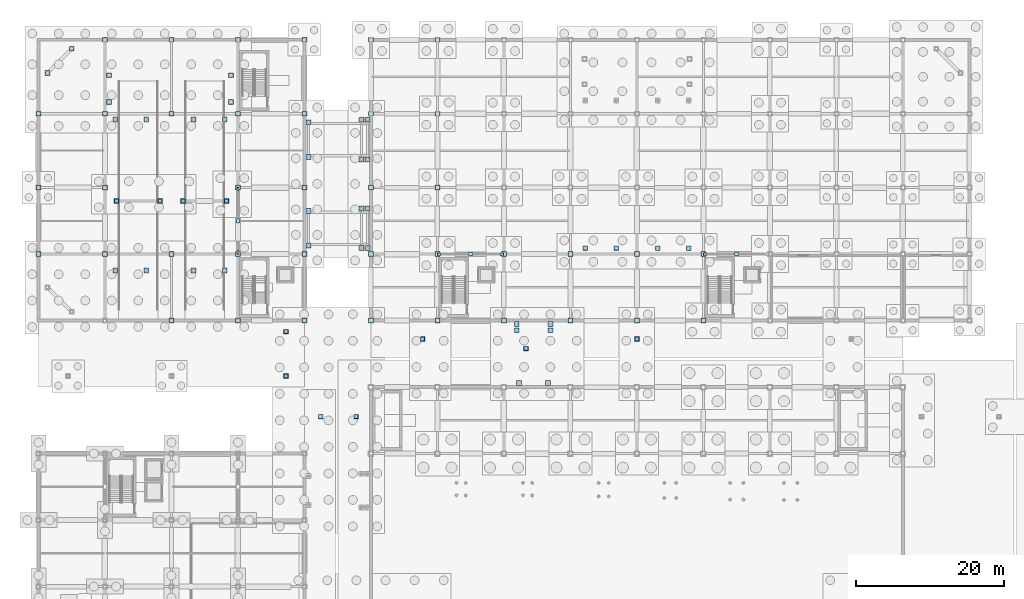
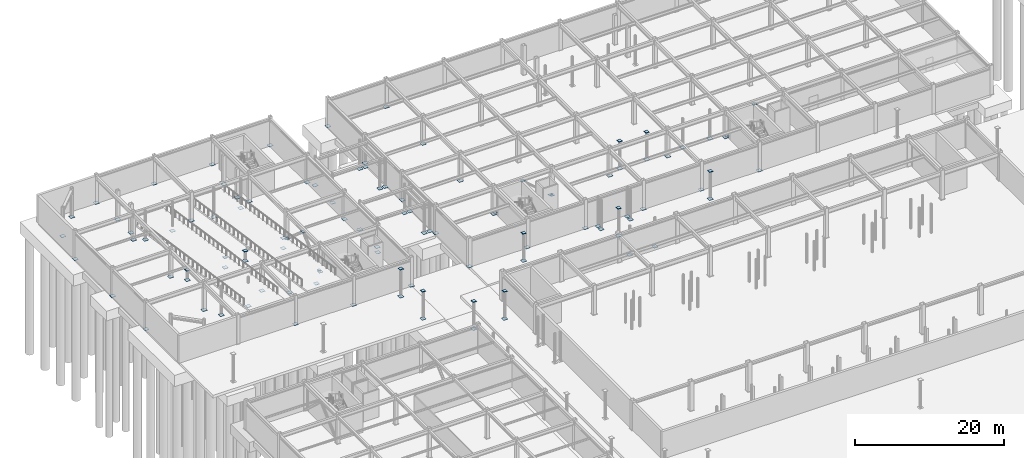
# One storey, part 48 of 74: 107 plates.
"""IFC4 building model written with IfcOpenShell, lengths in metres."""

from ifc_helpers import new_model, si_unit, direction, frame, origin, origin_2d, place, context, subcontext, project, spatial, rectangle, extrude, material, layer, layer_set, type_object, element, save


model = new_model("IFC4")

# Units and contexts
model_context = context("Model", 3, precision=1e-05, world=origin(), true_north=direction((0.0, 1.0)))
body_context = subcontext(model_context, "Body", "Model", "MODEL_VIEW")
ifc_project = project(units=[si_unit("LENGTHUNIT", "METRE"), si_unit("AREAUNIT", "SQUARE_METRE"), si_unit("VOLUMEUNIT", "CUBIC_METRE"), si_unit("PLANEANGLEUNIT", "RADIAN"), si_unit("MASSUNIT", "GRAM", prefix="KILO")], contexts=[model_context])

# Site, building, storey
site_placement = place(None, origin())
site = spatial("IfcSite", under=ifc_project, at=site_placement, CompositionType="ELEMENT")
building_placement = place(site_placement, origin())
building = spatial("IfcBuilding", under=site, at=building_placement, Name="Suzunagisa Mobility Hub", CompositionType="ELEMENT")
storey_placement = place(building_placement, frame((0.0, 0.0, -4.800048828125)))
storey = spatial("IfcBuildingStorey", under=building, at=storey_placement, Name="B1", CompositionType="ELEMENT", Elevation=-4.800048828125)

# Plates
ifc_material = material(Name="Steel SN490B", Category="steel")
ifc_layer_1 = layer(ifc_material, 0.02392578125)
ifc_layer_set_1 = layer_set([ifc_layer_1], Name="Steel SN490B")
plate_type_1 = type_object("IfcPlateType", Name="Structural Steel Plate SP-01 550x550x24", PredefinedType="USERDEFINED", material=ifc_layer_set_1)
for number, where, z_axis, x_axis, name in (
    (1, (10.550048828125, 96.199951171875, 1.652099609375), (0.0, 0.0, 1.0), (1.0, 0.0, 0.0), "B1 Column Cap Plate CP-37"),
    (2, (16.449951171875, 96.199951171875, 1.652099609375), (0.0, 0.0, 1.0), (1.0, 0.0, 0.0), "B1 Column Cap Plate CP-40"),
    (3, (19.550048828125, 96.199951171875, 1.652099609375), (0.0, 0.0, 1.0), (1.0, 0.0, 0.0), "B1 Column Cap Plate CP-54"),
    (4, (25.449951171875, 96.199951171875, 1.652099609375), (0.0, 0.0, 1.0), (1.0, 0.0, 0.0), "B1 Column Cap Plate CP-59"),
    (5, (33.5, 72.5, 4.55517578125), (0.0, 0.0, 1.0), (1.0, 0.0, 0.0), "B1 Column Cap Plate CP-75"),
    (6, (33.5, 78.5, 4.55517578125), (0.0, 0.0, 1.0), (1.0, 0.0, 0.0), "B1 Column Cap Plate CP-76"),
    (7, (38.199951171875, 67.0, 4.55517578125), (0.0, 0.0, 1.0), (1.0, 0.0, 0.0), "B1 Column Cap Plate CP-99"),
    (8, (43.0, 67.0, 4.55517578125), (0.0, 0.0, 1.0), (1.0, 0.0, 0.0), "B1 Column Cap Plate CP-102"),
    (9, (52.0, 77.5, 4.55517578125), (0.0, 0.0, 1.0), (1.0, 0.0, 0.0), "B1 Column Cap Plate CP-124"),
    (10, (66.0, 76.199951171875, 4.55517578125), (0.0, 0.0, 1.0), (1.0, 0.0, 0.0), "B1 Column Cap Plate CP-146"),
    (11, (74.0, 89.800048828125, 4.52001953125), (0.0, 0.0, 1.0), (1.0, 0.0, 0.0), "B1 Column Cap Plate CP-161"),
    (12, (78.199951171875, 89.800048828125, 4.52001953125), (0.0, 0.0, 1.0), (1.0, 0.0, 0.0), "B1 Column Cap Plate CP-163"),
    (13, (81.0, 77.5, 4.55517578125), (0.0, 0.0, 1.0), (1.0, 0.0, 0.0), "B1 Column Cap Plate CP-170"),
):
    element("IfcPlate", number, at=place(storey_placement, frame(where, z_axis=z_axis, x_axis=x_axis)), inside=storey, type_object=plate_type_1, Name=name, ObjectType="BASE PLATE", PredefinedType="USERDEFINED", context=body_context, shape_type="SweptSolid", body=[
        extrude(rectangle(XDim=0.550048828125, YDim=0.550048828125, at=origin_2d()), origin(), (0.0, 0.0, 1.0), 0.02392578125),
    ])
ifc_layer_2 = layer(ifc_material, 0.028076171875)
ifc_layer_set_2 = layer_set([ifc_layer_2], Name="Steel SN490B")
plate_type_2 = type_object("IfcPlateType", Name="Structural Steel Plate SP-04 480x320x28", PredefinedType="USERDEFINED", material=ifc_layer_set_2)
for number, where, z_axis, x_axis, name in (
    (14, (27.0, 89.2451171875, 0.10595703125), (0.0, 0.0, 1.0), (1.0, 0.0, 0.0), "B1 Brace Foot Gusset Plate FGP-108.1"),
    (15, (27.0, 97.7548828125, 0.10595703125), (0.0, 0.0, 1.0), (1.0, 0.0, 0.0), "B1 Brace Foot Gusset Plate FGP-108.2"),
):
    element("IfcPlate", number, at=place(storey_placement, frame(where, z_axis=z_axis, x_axis=x_axis)), inside=storey, type_object=plate_type_2, Name=name, ObjectType="GUSSET PLATE", PredefinedType="USERDEFINED", context=body_context, shape_type="SweptSolid", body=[
        extrude(rectangle(XDim=0.320068359375, YDim=0.47998046875, at=origin_2d()), origin(), (0.0, 0.0, 1.0), 0.028076171875),
    ])
for number, where, z_axis, x_axis, name in (
    (16, (54.27001953125, 89.0, 0.10595703125), (0.0, 0.0, 1.0), (1.0, 0.0, 0.0), "B1 Brace Foot Gusset Plate FGP-113.1"),
    (17, (62.72998046875, 89.0, 0.10595703125), (0.0, 0.0, 1.0), (1.0, 0.0, 0.0), "B1 Brace Foot Gusset Plate FGP-113.2"),
    (18, (90.27001953125, 89.0, 0.10595703125), (0.0, 0.0, 1.0), (1.0, 0.0, 0.0), "B1 Brace Foot Gusset Plate FGP-119.1"),
):
    element("IfcPlate", number, at=place(storey_placement, frame(where, z_axis=z_axis, x_axis=x_axis)), inside=storey, type_object=plate_type_2, Name=name, ObjectType="GUSSET PLATE", PredefinedType="USERDEFINED", context=body_context, shape_type="SweptSolid", body=[
        extrude(rectangle(XDim=0.47998046875, YDim=0.320068359375, at=origin_2d()), origin(), (0.0, 0.0, 1.0), 0.028076171875),
    ])
ifc_layer_3 = layer(ifc_material, 0.031982421875)
ifc_layer_set_3 = layer_set([ifc_layer_3], Name="Steel SN490B")
plate_type_3 = type_object("IfcPlateType", Name="Structural Steel Plate SP-05 650x650x32", PredefinedType="USERDEFINED", material=ifc_layer_set_3)
for number, where, z_axis, x_axis, name in (
    (19, (0.0, 89.0, -0.03173828125), (0.0, 0.0, 1.0), (1.0, 0.0, 0.0), "Column Base Plate BP-8"),
    (20, (0.0, 98.0, -0.03173828125), (0.0, 0.0, 1.0), (1.0, 0.0, 0.0), "Column Base Plate BP-9"),
    (21, (0.0, 108.0, -0.03173828125), (0.0, 0.0, 1.0), (1.0, 0.0, 0.0), "Column Base Plate BP-10"),
    (22, (1.205810546875, 113.5, -0.03173828125), (0.0, 0.0, 1.0), (1.0, 0.0, 0.0), "Column Base Plate BP-14"),
    (23, (4.5, 116.794189453125, -0.03173828125), (0.0, 0.0, 1.0), (1.0, 0.0, 0.0), "Column Base Plate BP-19"),
    (24, (9.0, 89.0, -0.03173828125), (0.0, 0.0, 1.0), (1.0, 0.0, 0.0), "Column Base Plate BP-29"),
    (25, (9.0, 98.0, -0.03173828125), (0.0, 0.0, 1.0), (1.0, 0.0, 0.0), "Column Base Plate BP-30"),
    (26, (9.0, 108.0, -0.03173828125), (0.0, 0.0, 1.0), (1.0, 0.0, 0.0), "Column Base Plate BP-31"),
    (27, (9.0, 118.0, -0.03173828125), (0.0, 0.0, 1.0), (1.0, 0.0, 0.0), "Column Base Plate BP-32"),
    (28, (9.550048828125, 109.60009765625, -0.03173828125), (0.0, 0.0, 1.0), (1.0, 0.0, 0.0), "Column Base Plate BP-33"),
    (29, (9.550048828125, 113.199951171875, -0.03173828125), (0.0, 0.0, 1.0), (1.0, 0.0, 0.0), "Column Base Plate BP-34"),
    (30, (10.39990234375, 86.800048828125, -0.03173828125), (0.0, 0.0, 1.0), (1.0, 0.0, 0.0), "Column Base Plate BP-35"),
    (31, (10.39990234375, 107.199951171875, -0.03173828125), (0.0, 0.0, 1.0), (1.0, 0.0, 0.0), "Column Base Plate BP-36"),
    (32, (10.550048828125, 96.199951171875, -0.03173828125), (0.0, 0.0, 1.0), (1.0, 0.0, 0.0), "Column Base Plate BP-37"),
    (33, (14.60009765625, 86.800048828125, -0.03173828125), (0.0, 0.0, 1.0), (1.0, 0.0, 0.0), "Column Base Plate BP-38"),
    (34, (14.60009765625, 107.199951171875, -0.03173828125), (0.0, 0.0, 1.0), (1.0, 0.0, 0.0), "Column Base Plate BP-39"),
    (35, (16.449951171875, 96.199951171875, -0.03173828125), (0.0, 0.0, 1.0), (1.0, 0.0, 0.0), "Column Base Plate BP-40"),
    (36, (18.0, 80.0, -0.03173828125), (0.0, 0.0, 1.0), (1.0, 0.0, 0.0), "Column Base Plate BP-50"),
    (37, (18.0, 89.0, -0.03173828125), (0.0, 0.0, 1.0), (1.0, 0.0, 0.0), "Column Base Plate BP-51"),
    (38, (18.0, 108.0, -0.03173828125), (0.0, 0.0, 1.0), (1.0, 0.0, 0.0), "Column Base Plate BP-52"),
    (39, (18.0, 118.0, -0.03173828125), (0.0, 0.0, 1.0), (1.0, 0.0, 0.0), "Column Base Plate BP-53"),
    (40, (19.550048828125, 96.199951171875, -0.03173828125), (0.0, 0.0, 1.0), (1.0, 0.0, 0.0), "Column Base Plate BP-54"),
    (41, (21.0, 86.800048828125, -0.03173828125), (0.0, 0.0, 1.0), (1.0, 0.0, 0.0), "Column Base Plate BP-55"),
    (42, (21.0, 107.199951171875, -0.03173828125), (0.0, 0.0, 1.0), (1.0, 0.0, 0.0), "Column Base Plate BP-56"),
    (43, (25.199951171875, 86.800048828125, -0.03173828125), (0.0, 0.0, 1.0), (1.0, 0.0, 0.0), "Column Base Plate BP-57"),
    (44, (25.199951171875, 107.199951171875, -0.03173828125), (0.0, 0.0, 1.0), (1.0, 0.0, 0.0), "Column Base Plate BP-58"),
    (45, (25.449951171875, 96.199951171875, -0.03173828125), (0.0, 0.0, 1.0), (1.0, 0.0, 0.0), "Column Base Plate BP-59"),
    (46, (26.050048828125, 109.60009765625, -0.03173828125), (0.0, 0.0, 1.0), (1.0, 0.0, 0.0), "Column Base Plate BP-60"),
    (47, (26.050048828125, 113.199951171875, -0.03173828125), (0.0, 0.0, 1.0), (1.0, 0.0, 0.0), "Column Base Plate BP-61"),
    (48, (27.0, 80.0, -0.03173828125), (0.0, 0.0, 1.0), (1.0, 0.0, 0.0), "Column Base Plate BP-70"),
    (49, (27.0, 89.0, -0.03173828125), (0.0, 0.0, 1.0), (1.0, 0.0, 0.0), "Column Base Plate BP-71"),
    (50, (27.0, 98.0, -0.03173828125), (0.0, 0.0, 1.0), (1.0, 0.0, 0.0), "Column Base Plate BP-72"),
    (51, (27.0, 108.0, -0.03173828125), (0.0, 0.0, 1.0), (1.0, 0.0, 0.0), "Column Base Plate BP-73"),
    (52, (27.0, 118.0, -0.03173828125), (0.0, 0.0, 1.0), (1.0, 0.0, 0.0), "Column Base Plate BP-74"),
    (53, (33.5, 72.5, -0.03173828125), (0.0, 0.0, 1.0), (1.0, 0.0, 0.0), "Column Base Plate BP-75"),
    (54, (33.5, 78.5, -0.03173828125), (0.0, 0.0, 1.0), (1.0, 0.0, 0.0), "Column Base Plate BP-76"),
    (55, (36.0, 80.0, -0.03173828125), (0.0, 0.0, 1.0), (1.0, 0.0, 0.0), "Column Base Plate BP-85"),
    (56, (36.0, 89.0, -0.03173828125), (0.0, 0.0, 1.0), (1.0, 0.0, 0.0), "Column Base Plate BP-86"),
    (57, (36.0, 98.0, -0.03173828125), (0.0, 0.0, 1.0), (1.0, 0.0, 0.0), "Column Base Plate BP-87"),
    (58, (36.0, 108.0, -0.03173828125), (0.0, 0.0, 1.0), (1.0, 0.0, 0.0), "Column Base Plate BP-88"),
    (59, (36.0, 118.0, -0.03173828125), (0.0, 0.0, 1.0), (1.0, 0.0, 0.0), "Column Base Plate BP-89"),
    (60, (36.550048828125, 90.14990234375, -0.03173828125), (0.0, 0.0, 1.0), (1.0, 0.0, 0.0), "Column Base Plate BP-92"),
    (61, (36.550048828125, 94.85009765625, -0.03173828125), (0.0, 0.0, 1.0), (1.0, 0.0, 0.0), "Column Base Plate BP-93"),
    (62, (36.550048828125, 102.14990234375, -0.03173828125), (0.0, 0.0, 1.0), (1.0, 0.0, 0.0), "Column Base Plate BP-94"),
    (63, (36.550048828125, 106.85009765625, -0.03173828125), (0.0, 0.0, 1.0), (1.0, 0.0, 0.0), "Column Base Plate BP-95"),
    (64, (38.199951171875, 67.0, -0.03173828125), (0.0, 0.0, 1.0), (1.0, 0.0, 0.0), "Column Base Plate BP-99"),
    (65, (43.0, 67.0, -0.03173828125), (0.0, 0.0, 1.0), (1.0, 0.0, 0.0), "Column Base Plate BP-102"),
    (66, (43.699951171875, 89.820068359375, -0.03173828125), (0.0, 0.0, 1.0), (1.0, 0.0, 0.0), "Column Base Plate BP-105"),
    (67, (43.699951171875, 95.179931640625, -0.03173828125), (0.0, 0.0, 1.0), (1.0, 0.0, 0.0), "Column Base Plate BP-106"),
    (68, (43.699951171875, 101.820068359375, -0.03173828125), (0.0, 0.0, 1.0), (1.0, 0.0, 0.0), "Column Base Plate BP-107"),
    (69, (43.699951171875, 107.179931640625, -0.03173828125), (0.0, 0.0, 1.0), (1.0, 0.0, 0.0), "Column Base Plate BP-108"),
    (70, (44.530029296875, 89.820068359375, -0.03173828125), (0.0, 0.0, 1.0), (1.0, 0.0, 0.0), "Column Base Plate BP-111"),
    (71, (44.530029296875, 95.179931640625, -0.03173828125), (0.0, 0.0, 1.0), (1.0, 0.0, 0.0), "Column Base Plate BP-112"),
    (72, (44.530029296875, 101.820068359375, -0.03173828125), (0.0, 0.0, 1.0), (1.0, 0.0, 0.0), "Column Base Plate BP-113"),
    (73, (44.530029296875, 107.179931640625, -0.03173828125), (0.0, 0.0, 1.0), (1.0, 0.0, 0.0), "Column Base Plate BP-114"),
    (74, (45.0, 80.0, -0.03173828125), (0.0, 0.0, 1.0), (1.0, 0.0, 0.0), "Column Base Plate BP-118"),
    (75, (45.0, 89.0, -0.03173828125), (0.0, 0.0, 1.0), (1.0, 0.0, 0.0), "Column Base Plate BP-119"),
    (76, (45.0, 98.0, -0.03173828125), (0.0, 0.0, 1.0), (1.0, 0.0, 0.0), "Column Base Plate BP-120"),
    (77, (45.0, 108.0, -0.03173828125), (0.0, 0.0, 1.0), (1.0, 0.0, 0.0), "Column Base Plate BP-121"),
    (78, (45.0, 118.0, -0.03173828125), (0.0, 0.0, 1.0), (1.0, 0.0, 0.0), "Column Base Plate BP-122"),
    (79, (52.0, 77.5, -0.03173828125), (0.0, 0.0, 1.0), (1.0, 0.0, 0.0), "Column Base Plate BP-124"),
    (80, (54.0, 80.0, -0.03173828125), (0.0, 0.0, 1.0), (1.0, 0.0, 0.0), "Column Base Plate BP-129"),
    (81, (54.0, 89.0, -0.03173828125), (0.0, 0.0, 1.0), (1.0, 0.0, 0.0), "Column Base Plate BP-130"),
    (82, (54.0, 98.0, -0.03173828125), (0.0, 0.0, 1.0), (1.0, 0.0, 0.0), "Column Base Plate BP-131"),
    (83, (54.0, 108.0, -0.03173828125), (0.0, 0.0, 1.0), (1.0, 0.0, 0.0), "Column Base Plate BP-132"),
    (84, (54.0, 118.0, -0.03173828125), (0.0, 0.0, 1.0), (1.0, 0.0, 0.0), "Column Base Plate BP-133"),
    (85, (63.0, 80.0, -0.03173828125), (0.0, 0.0, 1.0), (1.0, 0.0, 0.0), "Column Base Plate BP-138"),
    (86, (63.0, 89.0, -0.03173828125), (0.0, 0.0, 1.0), (1.0, 0.0, 0.0), "Column Base Plate BP-139"),
    (87, (64.719970703125, 78.699951171875, -0.03173828125), (0.0, 0.0, 1.0), (1.0, 0.0, 0.0), "Column Base Plate BP-143"),
    (88, (64.719970703125, 79.530029296875, -0.03173828125), (0.0, 0.0, 1.0), (1.0, 0.0, 0.0), "Column Base Plate BP-144"),
    (89, (65.050048828125, 71.550048828125, -0.03173828125), (0.0, 0.0, 1.0), (1.0, 0.0, 0.0), "Column Base Plate BP-145"),
    (90, (66.0, 76.199951171875, -0.03173828125), (0.0, 0.0, 1.0), (1.0, 0.0, 0.0), "Column Base Plate BP-146"),
    (91, (68.949951171875, 71.550048828125, -0.03173828125), (0.0, 0.0, 1.0), (1.0, 0.0, 0.0), "Column Base Plate BP-147"),
    (92, (69.280029296875, 78.699951171875, -0.03173828125), (0.0, 0.0, 1.0), (1.0, 0.0, 0.0), "Column Base Plate BP-148"),
    (93, (69.280029296875, 79.530029296875, -0.03173828125), (0.0, 0.0, 1.0), (1.0, 0.0, 0.0), "Column Base Plate BP-149"),
    (94, (72.0, 80.0, -0.03173828125), (0.0, 0.0, 1.0), (1.0, 0.0, 0.0), "Column Base Plate BP-154"),
    (95, (72.0, 89.0, -0.03173828125), (0.0, 0.0, 1.0), (1.0, 0.0, 0.0), "Column Base Plate BP-155"),
    (96, (74.0, 89.800048828125, -0.03173828125), (0.0, 0.0, 1.0), (1.0, 0.0, 0.0), "Column Base Plate BP-161"),
    (97, (78.199951171875, 89.800048828125, -0.03173828125), (0.0, 0.0, 1.0), (1.0, 0.0, 0.0), "Column Base Plate BP-163"),
    (98, (81.0, 77.5, -0.03173828125), (0.0, 0.0, 1.0), (1.0, 0.0, 0.0), "Column Base Plate BP-170"),
    (99, (81.0, 80.0, -0.03173828125), (0.0, 0.0, 1.0), (1.0, 0.0, 0.0), "Column Base Plate BP-171"),
    (100, (81.0, 89.0, -0.03173828125), (0.0, 0.0, 1.0), (1.0, 0.0, 0.0), "Column Base Plate BP-172"),
    (101, (83.800048828125, 89.800048828125, -0.03173828125), (0.0, 0.0, 1.0), (1.0, 0.0, 0.0), "Column Base Plate BP-176"),
    (102, (88.0, 89.800048828125, -0.03173828125), (0.0, 0.0, 1.0), (1.0, 0.0, 0.0), "Column Base Plate BP-178"),
    (103, (90.0, 80.0, -0.03173828125), (0.0, 0.0, 1.0), (1.0, 0.0, 0.0), "Column Base Plate BP-186"),
    (104, (90.0, 89.0, -0.03173828125), (0.0, 0.0, 1.0), (1.0, 0.0, 0.0), "Column Base Plate BP-187"),
):
    element("IfcPlate", number, at=place(storey_placement, frame(where, z_axis=z_axis, x_axis=x_axis)), inside=storey, type_object=plate_type_3, Name=name, ObjectType="BASE PLATE", PredefinedType="USERDEFINED", context=body_context, shape_type="SweptSolid", body=[
        extrude(rectangle(XDim=0.64990234375, YDim=0.64990234375, at=origin_2d()), origin(), (0.0, 0.0, 1.0), 0.031982421875),
    ])
ifc_layer_4 = layer(ifc_material, 0.028076171875)
ifc_layer_set_4 = layer_set([ifc_layer_4], Name="Steel SN490B")
plate_type_4 = type_object("IfcPlateType", Name="Structural Steel Plate SP-06 600x400x28", PredefinedType="USERDEFINED", material=ifc_layer_set_4)
plate_placement = place(storey_placement, frame((27.0, 93.5, 3.7919921875), z_axis=(0.0, 0.0, 1.0), x_axis=(1.0, 0.0, 0.0)))
element("IfcPlate", 105, at=plate_placement, inside=storey, type_object=plate_type_4, Name="B1 Brace Apex Gusset GP-108", ObjectType="GUSSET PLATE", PredefinedType="USERDEFINED", context=body_context, shape_type="SweptSolid", body=[
    extrude(rectangle(XDim=0.39990234375, YDim=0.60009765625, at=origin_2d()), origin(), (0.0, 0.0, 1.0), 0.028076171875),
])
for number, where, z_axis, x_axis, name in (
    (106, (58.5, 89.0, 3.841796875), (0.0, 0.0, 1.0), (1.0, 0.0, 0.0), "B1 Brace Apex Gusset GP-113"),
    (107, (94.5, 89.0, 3.841796875), (0.0, 0.0, 1.0), (1.0, 0.0, 0.0), "B1 Brace Apex Gusset GP-119"),
):
    element("IfcPlate", number, at=place(storey_placement, frame(where, z_axis=z_axis, x_axis=x_axis)), inside=storey, type_object=plate_type_4, Name=name, ObjectType="GUSSET PLATE", PredefinedType="USERDEFINED", context=body_context, shape_type="SweptSolid", body=[
        extrude(rectangle(XDim=0.60009765625, YDim=0.39990234375, at=origin_2d()), origin(), (0.0, 0.0, 1.0), 0.028076171875),
    ])

save(model, "model.ifc")
